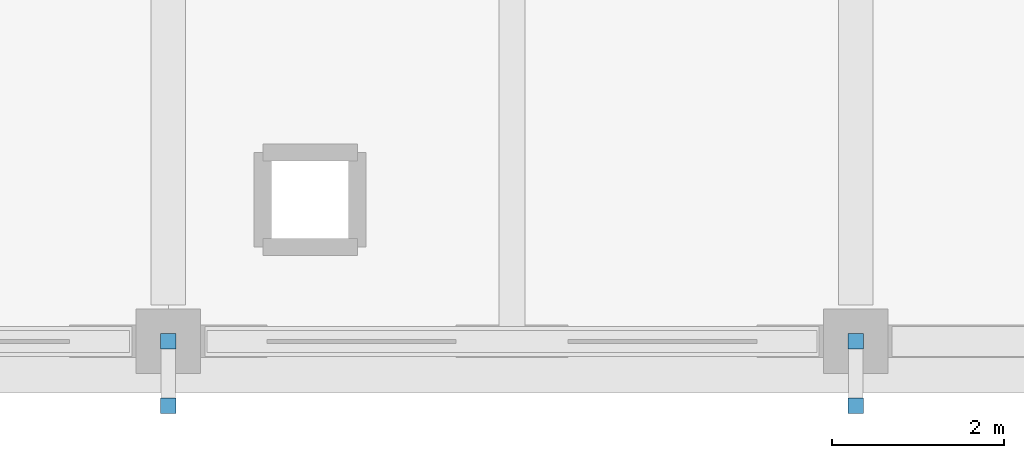
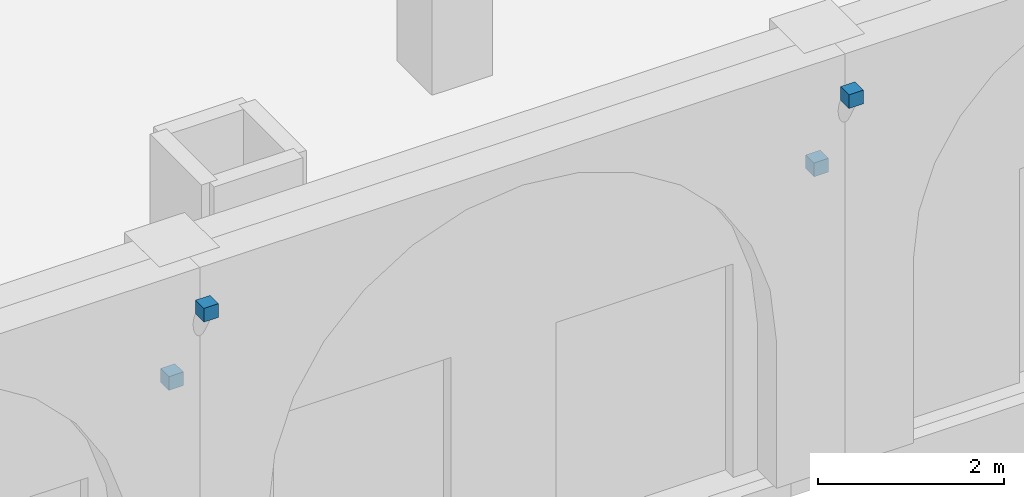
# One storey, part 28 of 40: 4 discrete accessories.
"""IFC4 building model written with IfcOpenShell, lengths in metres."""

import ifcopenshell
import ifcopenshell.guid

model = None  # the IFC model being written
_history = None  # IfcOwnerHistory: only IFC2X3 demands one
_inside = {}  # id of a spatial element -> (the spatial element, [elements in it])
_under = {}  # id of a project, library or spatial element -> (it, [spatial elements below it])
_declared = {}  # id of a project -> (the project, [libraries it declares])
_typed = {}  # id of a type object -> (the type object, [elements of that type])
_made_of = {}  # id of a material, layer set ... -> (it, [elements and type objects made of it])


def new_model(schema):
    """Start an empty IFC model of exactly this schema.

    Asked for "IFC4X3", IfcOpenShell would pick the latest addendum, in which some entities
    have other attributes; the version numbers below select the first issue.
    IFC2X3 requires an IfcOwnerHistory on every rooted entity: one is made here for all.
    """
    global model, _history
    if schema == "IFC4X3":
        model = ifcopenshell.file(schema_version=(4, 3, 0, 0))
    else:
        model = ifcopenshell.file(schema=schema)
    _inside.clear()
    _under.clear()
    _declared.clear()
    _typed.clear()
    _made_of.clear()
    _history = None
    if model.schema == "IFC2X3":
        org = make("IfcOrganization", Name="unknown")
        user = make(
            "IfcPersonAndOrganization",
            ThePerson=make("IfcPerson", FamilyName="unknown"),
            TheOrganization=org,
        )
        app = make(
            "IfcApplication",
            ApplicationDeveloper=org,
            Version="unknown",
            ApplicationFullName="unknown",
            ApplicationIdentifier="unknown",
        )
        _history = make(
            "IfcOwnerHistory",
            OwningUser=user,
            OwningApplication=app,
            ChangeAction="ADDED",
            CreationDate=0,
        )
    return model


def make(cls, **values):
    """One entity of the class cls with the attributes given. An attribute that is None is left unset."""
    return model.create_entity(
        cls, **{name: value for name, value in values.items() if value is not None}
    )


def rooted(cls, **values):
    """An entity with a GlobalId (a new one), such as an element, a storey or a relation."""
    return make(cls, GlobalId=ifcopenshell.guid.new(), OwnerHistory=_history, **values)


def si_unit(unit_type, name, prefix=None):
    """IfcSIUnit, for example si_unit("LENGTHUNIT", "METRE", prefix="MILLI")."""
    return make("IfcSIUnit", UnitType=unit_type, Prefix=prefix, Name=name)


def assignment(units):
    """IfcUnitAssignment: the units of a project."""
    return None if units is None else make("IfcUnitAssignment", Units=units)


def point(xyz):
    """IfcCartesianPoint."""
    return None if xyz is None else make("IfcCartesianPoint", Coordinates=xyz)


def direction(xyz):
    """IfcDirection."""
    return None if xyz is None else make("IfcDirection", DirectionRatios=xyz)


def frame(location, z_axis=None, x_axis=None):
    """IfcAxis2Placement3D, a coordinate frame: its origin and axes. An axis left out is left unset."""
    return make(
        "IfcAxis2Placement3D",
        Location=point(location),
        Axis=direction(z_axis),
        RefDirection=direction(x_axis),
    )


def frame_2d(location, x_axis=None):
    """IfcAxis2Placement2D, a coordinate frame in the plane: its origin and x axis."""
    return make(
        "IfcAxis2Placement2D", Location=point(location), RefDirection=direction(x_axis)
    )


def origin():
    """The frame at (0, 0, 0) with its axes left unset."""
    return frame((0.0, 0.0, 0.0))


def origin_2d():
    """The frame at (0, 0) in the plane with its x axis left unset."""
    return frame_2d((0.0, 0.0))


def place(relative_to, where):
    """IfcLocalPlacement: puts the frame where relative to a parent placement (None: the world)."""
    return make(
        "IfcLocalPlacement", PlacementRelTo=relative_to, RelativePlacement=where
    )


def context(
    kind, dimensions, precision=None, world=None, true_north=None, identifier=None
):
    """IfcGeometricRepresentationContext, for example the 3D "Model" context."""
    return make(
        "IfcGeometricRepresentationContext",
        ContextIdentifier=identifier,
        ContextType=kind,
        CoordinateSpaceDimension=dimensions,
        Precision=precision,
        WorldCoordinateSystem=world,
        TrueNorth=true_north,
    )


def subcontext(parent, identifier, kind, view, scale=None):
    """IfcGeometricRepresentationSubContext, for example "Body" below "Model"."""
    return make(
        "IfcGeometricRepresentationSubContext",
        ContextIdentifier=identifier,
        ContextType=kind,
        ParentContext=parent,
        TargetScale=scale,
        TargetView=view,
    )


def project(units=None, contexts=None):
    """IfcProject with its units and contexts."""
    return rooted(
        "IfcProject",
        Name="project",
        RepresentationContexts=contexts,
        UnitsInContext=assignment(units),
    )


def spatial(cls, under=None, at=None, **own):
    """A site, building, storey or space (cls), placed at a placement, below another one or the project."""
    s = rooted(cls, ObjectPlacement=at, **own)
    if under is not None:
        _under.setdefault(under.id(), (under, []))[1].append(s)
    return s


def profile(cls, at=None, kind="AREA", **sizes):
    """A parametric profile (cls). Its sizes go by their IFC names, for example OverallWidth=200.0."""
    return make(cls, ProfileType=kind, Position=at, **sizes)


def rectangle(**sizes):
    """IfcRectangleProfileDef."""
    return profile("IfcRectangleProfileDef", **sizes)


def extrude(swept, where, along, depth):
    """IfcExtrudedAreaSolid: the profile swept, set in the frame where, extruded along a direction by depth."""
    return make(
        "IfcExtrudedAreaSolid",
        SweptArea=swept,
        Position=where,
        ExtrudedDirection=direction(along),
        Depth=depth,
    )


def shape(context_of_items, identifier, shape_type, items):
    """IfcShapeRepresentation: the items that make up one representation, for example the "Body"."""
    return make(
        "IfcShapeRepresentation",
        ContextOfItems=context_of_items,
        RepresentationIdentifier=identifier,
        RepresentationType=shape_type,
        Items=items,
    )


def material(Name=None, Category=None):
    """IfcMaterial."""
    return make("IfcMaterial", Name=Name, Category=Category)


def made_of(thing, what):
    """Note that an element or type object is made of a material, layer set ...; save() writes the relation."""
    if what is not None:
        _made_of.setdefault(what.id(), (what, []))[1].append(thing)
    return thing


def type_object(cls, material=None, **own):
    """A type object (cls), such as IfcWallType, which elements share."""
    return made_of(rooted(cls, **own), material)


def element(
    cls,
    number,
    at=None,
    inside=None,
    cuts=None,
    type_object=None,
    material=None,
    context=None,
    identifier="Body",
    shape_type=None,
    held_by="IfcProductDefinitionShape",
    body=None,
    shapes=None,
    **own,
):
    """One element of the class cls, such as IfcWall. Its Tag is "e" and its number.

    at: its placement. inside: the storey or other place that contains it. cuts: it is an
    opening in that element (IfcRelVoidsElement). A single representation is given by context,
    identifier, shape_type and body (its items); several are given by shapes. held_by: the class
    of the entity that holds the representations. save() writes the other relations.
    """
    e = rooted(cls, Tag="e%d" % number, ObjectPlacement=at, **own)
    if body is not None:
        shapes = [shape(context, identifier, shape_type, body)]
    if shapes is not None:
        e.Representation = make(held_by, Representations=shapes)
    if inside is not None:
        _inside.setdefault(inside.id(), (inside, []))[1].append(e)
    if cuts is not None:
        rooted(
            "IfcRelVoidsElement", RelatingBuildingElement=cuts, RelatedOpeningElement=e
        )
    if type_object is not None:
        _typed.setdefault(type_object.id(), (type_object, []))[1].append(e)
    return made_of(e, material)


def aggregate(whole, parts):
    """IfcRelAggregates: a whole, such as a stair, and the parts it consists of."""
    return rooted("IfcRelAggregates", RelatingObject=whole, RelatedObjects=parts)


def save(model, path):
    """Write the relations noted so far, then the file.

    IfcRelAggregates (storeys below a building ...), IfcRelContainedInSpatialStructure (elements
    in a storey), IfcRelDefinesByType, IfcRelAssociatesMaterial and IfcRelDeclares: one each for
    every whole, place, type object, material and project.
    """
    for whole, parts in _under.values():
        aggregate(whole, parts)
    for where, things in _inside.values():
        rooted(
            "IfcRelContainedInSpatialStructure",
            RelatedElements=things,
            RelatingStructure=where,
        )
    for kind, things in _typed.values():
        rooted("IfcRelDefinesByType", RelatedObjects=things, RelatingType=kind)
    for what, things in _made_of.values():
        rooted("IfcRelAssociatesMaterial", RelatedObjects=things, RelatingMaterial=what)
    for by, libraries in _declared.values():
        rooted("IfcRelDeclares", RelatingContext=by, RelatedDefinitions=libraries)
    model.write(path)


model = new_model("IFC4")

# Units and contexts
model_context = context("Model", 3, precision=1e-05, world=origin(), true_north=direction((0.0, 1.0)))
body_context = subcontext(model_context, "Body", "Model", "MODEL_VIEW")
ifc_project = project(units=[si_unit("LENGTHUNIT", "METRE"), si_unit("AREAUNIT", "SQUARE_METRE"), si_unit("VOLUMEUNIT", "CUBIC_METRE"), si_unit("PLANEANGLEUNIT", "RADIAN"), si_unit("MASSUNIT", "GRAM", prefix="KILO")], contexts=[model_context])

# Site, building, storey
site_placement = place(None, origin())
site = spatial("IfcSite", under=ifc_project, at=site_placement, CompositionType="ELEMENT")
building_placement = place(site_placement, origin())
building = spatial("IfcBuilding", under=site, at=building_placement, Name="Qorikala Patio Media Centre", CompositionType="ELEMENT")
storey_placement = place(building_placement, origin())
storey = spatial("IfcBuildingStorey", under=building, at=storey_placement, Name="L00", CompositionType="ELEMENT", Elevation=0.0)

# Discrete accessories
ifc_material = material(Name="Steel S355", Category="steel")
discrete_accessory_type = type_object("IfcDiscreteAccessoryType", Name="ACC-BRACKET", PredefinedType="BRACKET", material=ifc_material)
for number, where, z_axis, x_axis, name in (
    (1, (67.0, 3.0, 3.51025390625), (0.0, 0.0, 1.0), (1.0, 0.0, 0.0), "L00 Brace End Bolted Connection Bracket 0219"),
    (2, (67.0, 2.25, 4.85986328125), (0.0, 0.0, 1.0), (1.0, 0.0, 0.0), "L00 Brace End Bolted Connection Bracket 0220"),
    (3, (75.0, 3.0, 3.51025390625), (0.0, 0.0, 1.0), (1.0, 0.0, 0.0), "L00 Brace End Bolted Connection Bracket 0221"),
    (4, (75.0, 2.25, 4.85986328125), (0.0, 0.0, 1.0), (1.0, 0.0, 0.0), "L00 Brace End Bolted Connection Bracket 0222"),
):
    element("IfcDiscreteAccessory", number, at=place(storey_placement, frame(where, z_axis=z_axis, x_axis=x_axis)), inside=storey, type_object=discrete_accessory_type, Name=name, PredefinedType="BRACKET", context=body_context, shape_type="SweptSolid", body=[
        extrude(rectangle(XDim=0.179931640625, YDim=0.179931640625, at=origin_2d()), origin(), (0.0, 0.0, 1.0), 0.179931640625),
    ])

save(model, "model.ifc")
